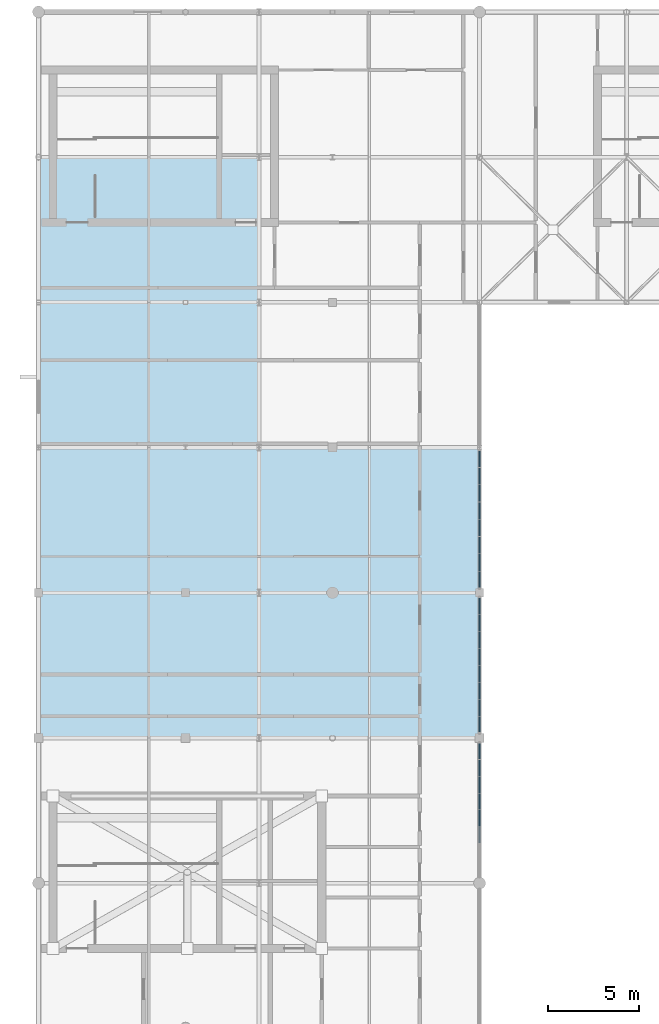
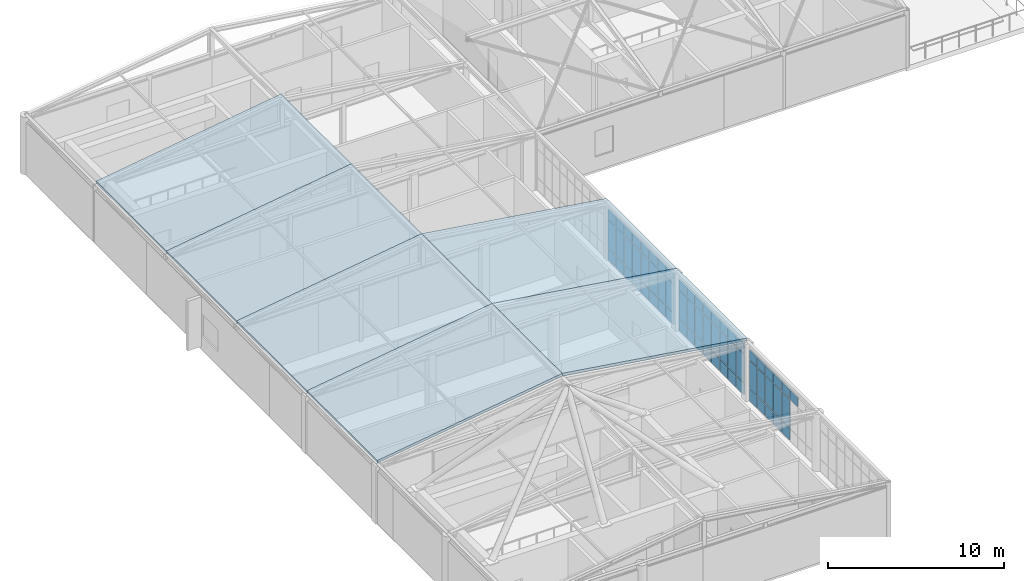
# One storey, part 12 of 21: 64 plates, 6 slabs, 3 elements without a shape of their own.
"""IFC4 building model written with IfcOpenShell, lengths in metres."""

from ifc_helpers import new_model, si_unit, direction, frame, origin, origin_2d, place, context, subcontext, project, spatial, polyline, rectangle, outline, extrude, material, layer, layer_set, type_object, element, aggregate, save


model = new_model("IFC4")

# Units and contexts
model_context = context("Model", 3, precision=1e-05, world=origin(), true_north=direction((0.0, 1.0)))
body_context = subcontext(model_context, "Body", "Model", "MODEL_VIEW")
ifc_project = project(units=[si_unit("LENGTHUNIT", "METRE"), si_unit("AREAUNIT", "SQUARE_METRE"), si_unit("VOLUMEUNIT", "CUBIC_METRE"), si_unit("PLANEANGLEUNIT", "RADIAN"), si_unit("MASSUNIT", "GRAM", prefix="KILO")], contexts=[model_context])

# Site, building, storey
site_placement = place(None, origin())
site = spatial("IfcSite", under=ifc_project, at=site_placement, CompositionType="ELEMENT")
building_placement = place(site_placement, origin())
building = spatial("IfcBuilding", under=site, at=building_placement, Name="Tarnveldt Square Police Headquarters", CompositionType="ELEMENT")
storey_placement = place(building_placement, frame((0.0, 0.0, 33.300048828125)))
storey = spatial("IfcBuildingStorey", under=building, at=storey_placement, Name="L07", CompositionType="ELEMENT", Elevation=33.300048828125)

# Curtain wall, plates
ifc_material_1 = material(Name="Triple-glazed low-e laminated vision glass", Category="glass")
curtain_wall_type_1 = type_object("IfcCurtainWallType", Name="CW-UP-739x366", PredefinedType="USERDEFINED", material=ifc_material_1)
curtain_wall_1_placement = place(storey_placement, origin())
curtain_wall_1 = element("IfcCurtainWall", 1, at=curtain_wall_1_placement, inside=storey, type_object=curtain_wall_type_1, Name="L07 Curtain Wall CW-L07-095", ObjectType="GLAZED CURTAIN WALL", PredefinedType="USERDEFINED")
ifc_material_2 = material(Name="Insulated anodised aluminium spandrel panel", Category="aluminium")
ifc_layer_1 = layer(ifc_material_2, 0.090087890625)
ifc_layer_set_1 = layer_set([ifc_layer_1], Name="Insulated anodised aluminium spandrel panel")
plate_type = type_object("IfcPlateType", Name="CWP-SPN-90", PredefinedType="CURTAIN_PANEL", material=ifc_layer_set_1)
plate_1_placement = place(storey_placement, frame((40.5, 66.65087890625, 2.9375), z_axis=(0.0, 0.0, 1.0), x_axis=(0.0, 1.0, 0.0)))
plate_1 = element("IfcPlate", 2, at=plate_1_placement, type_object=plate_type, Name="CW-UP52 panel 3.3", PredefinedType="CURTAIN_PANEL", context=body_context, shape_type="SweptSolid", body=[
    extrude(rectangle(XDim=0.859375, YDim=0.090087890625, at=origin_2d()), origin(), (0.0, 0.0, 1.0), 0.652587890625),
])
plate_2_placement = place(storey_placement, frame((40.5, 67.5751953125, 0.06494140625), z_axis=(0.0, 0.0, 1.0), x_axis=(0.0, 1.0, 0.0)))
plate_2 = element("IfcPlate", 3, at=plate_2_placement, type_object=plate_type, Name="CW-UP52 panel 4.1", PredefinedType="CURTAIN_PANEL", context=body_context, shape_type="SweptSolid", body=[
    extrude(rectangle(XDim=0.859375, YDim=0.090087890625, at=origin_2d()), origin(), (0.0, 0.0, 1.0), 0.802490234375),
])
plate_3_placement = place(storey_placement, frame((40.5, 67.5751953125, 0.932373046875), z_axis=(0.0, 0.0, 1.0), x_axis=(0.0, 1.0, 0.0)))
plate_3 = element("IfcPlate", 4, at=plate_3_placement, type_object=plate_type, Name="CW-UP52 panel 4.2", PredefinedType="CURTAIN_PANEL", context=body_context, shape_type="SweptSolid", body=[
    extrude(rectangle(XDim=0.859375, YDim=0.090087890625, at=origin_2d()), origin(), (0.0, 0.0, 1.0), 1.93994140625),
])
plate_4_placement = place(storey_placement, frame((40.5, 67.5751953125, 2.9375), z_axis=(0.0, 0.0, 1.0), x_axis=(0.0, 1.0, 0.0)))
plate_4 = element("IfcPlate", 5, at=plate_4_placement, type_object=plate_type, Name="CW-UP52 panel 4.3", PredefinedType="CURTAIN_PANEL", context=body_context, shape_type="SweptSolid", body=[
    extrude(rectangle(XDim=0.859375, YDim=0.090087890625, at=origin_2d()), origin(), (0.0, 0.0, 1.0), 0.652587890625),
])
plate_5_placement = place(storey_placement, frame((40.5, 68.499755859375, 0.06494140625), z_axis=(0.0, 0.0, 1.0), x_axis=(0.0, 1.0, 0.0)))
plate_5 = element("IfcPlate", 6, at=plate_5_placement, type_object=plate_type, Name="CW-UP52 panel 5.1", PredefinedType="CURTAIN_PANEL", context=body_context, shape_type="SweptSolid", body=[
    extrude(rectangle(XDim=0.859375, YDim=0.090087890625, at=origin_2d()), origin(), (0.0, 0.0, 1.0), 0.802490234375),
])
plate_6_placement = place(storey_placement, frame((40.5, 68.499755859375, 0.932373046875), z_axis=(0.0, 0.0, 1.0), x_axis=(0.0, 1.0, 0.0)))
plate_6 = element("IfcPlate", 7, at=plate_6_placement, type_object=plate_type, Name="CW-UP52 panel 5.2", PredefinedType="CURTAIN_PANEL", context=body_context, shape_type="SweptSolid", body=[
    extrude(rectangle(XDim=0.859375, YDim=0.090087890625, at=origin_2d()), origin(), (0.0, 0.0, 1.0), 1.93994140625),
])
plate_7_placement = place(storey_placement, frame((40.5, 68.499755859375, 2.9375), z_axis=(0.0, 0.0, 1.0), x_axis=(0.0, 1.0, 0.0)))
plate_7 = element("IfcPlate", 8, at=plate_7_placement, type_object=plate_type, Name="CW-UP52 panel 5.3", PredefinedType="CURTAIN_PANEL", context=body_context, shape_type="SweptSolid", body=[
    extrude(rectangle(XDim=0.859375, YDim=0.090087890625, at=origin_2d()), origin(), (0.0, 0.0, 1.0), 0.652587890625),
])
plate_8_placement = place(storey_placement, frame((40.5, 69.424072265625, 0.06494140625), z_axis=(0.0, 0.0, 1.0), x_axis=(0.0, 1.0, 0.0)))
plate_8 = element("IfcPlate", 9, at=plate_8_placement, type_object=plate_type, Name="CW-UP52 panel 6.1", PredefinedType="CURTAIN_PANEL", context=body_context, shape_type="SweptSolid", body=[
    extrude(rectangle(XDim=0.859375, YDim=0.090087890625, at=origin_2d()), origin(), (0.0, 0.0, 1.0), 0.802490234375),
])
plate_9_placement = place(storey_placement, frame((40.5, 69.424072265625, 0.932373046875), z_axis=(0.0, 0.0, 1.0), x_axis=(0.0, 1.0, 0.0)))
plate_9 = element("IfcPlate", 10, at=plate_9_placement, type_object=plate_type, Name="CW-UP52 panel 6.2", PredefinedType="CURTAIN_PANEL", context=body_context, shape_type="SweptSolid", body=[
    extrude(rectangle(XDim=0.859375, YDim=0.090087890625, at=origin_2d()), origin(), (0.0, 0.0, 1.0), 1.93994140625),
])
plate_10_placement = place(storey_placement, frame((40.5, 69.424072265625, 2.9375), z_axis=(0.0, 0.0, 1.0), x_axis=(0.0, 1.0, 0.0)))
plate_10 = element("IfcPlate", 11, at=plate_10_placement, type_object=plate_type, Name="CW-UP52 panel 6.3", PredefinedType="CURTAIN_PANEL", context=body_context, shape_type="SweptSolid", body=[
    extrude(rectangle(XDim=0.859375, YDim=0.090087890625, at=origin_2d()), origin(), (0.0, 0.0, 1.0), 0.652587890625),
])
plate_11_placement = place(storey_placement, frame((40.5, 70.348388671875, 0.06494140625), z_axis=(0.0, 0.0, 1.0), x_axis=(0.0, 1.0, 0.0)))
plate_11 = element("IfcPlate", 12, at=plate_11_placement, type_object=plate_type, Name="CW-UP52 panel 7.1", PredefinedType="CURTAIN_PANEL", context=body_context, shape_type="SweptSolid", body=[
    extrude(rectangle(XDim=0.859375, YDim=0.090087890625, at=origin_2d()), origin(), (0.0, 0.0, 1.0), 0.802490234375),
])
plate_12_placement = place(storey_placement, frame((40.5, 70.348388671875, 0.932373046875), z_axis=(0.0, 0.0, 1.0), x_axis=(0.0, 1.0, 0.0)))
plate_12 = element("IfcPlate", 13, at=plate_12_placement, type_object=plate_type, Name="CW-UP52 panel 7.2", PredefinedType="CURTAIN_PANEL", context=body_context, shape_type="SweptSolid", body=[
    extrude(rectangle(XDim=0.859375, YDim=0.090087890625, at=origin_2d()), origin(), (0.0, 0.0, 1.0), 1.93994140625),
])
plate_13_placement = place(storey_placement, frame((40.5, 70.348388671875, 2.9375), z_axis=(0.0, 0.0, 1.0), x_axis=(0.0, 1.0, 0.0)))
plate_13 = element("IfcPlate", 14, at=plate_13_placement, type_object=plate_type, Name="CW-UP52 panel 7.3", PredefinedType="CURTAIN_PANEL", context=body_context, shape_type="SweptSolid", body=[
    extrude(rectangle(XDim=0.859375, YDim=0.090087890625, at=origin_2d()), origin(), (0.0, 0.0, 1.0), 0.652587890625),
])
plate_14_placement = place(storey_placement, frame((40.5, 71.256591796875, 0.06494140625), z_axis=(0.0, 0.0, 1.0), x_axis=(0.0, 1.0, 0.0)))
plate_14 = element("IfcPlate", 15, at=plate_14_placement, type_object=plate_type, Name="CW-UP52 panel 8.1", PredefinedType="CURTAIN_PANEL", context=body_context, shape_type="SweptSolid", body=[
    extrude(rectangle(XDim=0.826904296875, YDim=0.090087890625, at=origin_2d()), origin(), (0.0, 0.0, 1.0), 0.802490234375),
])
plate_15_placement = place(storey_placement, frame((40.5, 71.256591796875, 0.932373046875), z_axis=(0.0, 0.0, 1.0), x_axis=(0.0, 1.0, 0.0)))
plate_15 = element("IfcPlate", 16, at=plate_15_placement, type_object=plate_type, Name="CW-UP52 panel 8.2", PredefinedType="CURTAIN_PANEL", context=body_context, shape_type="SweptSolid", body=[
    extrude(rectangle(XDim=0.826904296875, YDim=0.090087890625, at=origin_2d()), origin(), (0.0, 0.0, 1.0), 1.93994140625),
])
plate_16_placement = place(storey_placement, frame((40.5, 71.256591796875, 2.9375), z_axis=(0.0, 0.0, 1.0), x_axis=(0.0, 1.0, 0.0)))
plate_16 = element("IfcPlate", 17, at=plate_16_placement, type_object=plate_type, Name="CW-UP52 panel 8.3", PredefinedType="CURTAIN_PANEL", context=body_context, shape_type="SweptSolid", body=[
    extrude(rectangle(XDim=0.826904296875, YDim=0.090087890625, at=origin_2d()), origin(), (0.0, 0.0, 1.0), 0.652587890625),
])
aggregate(curtain_wall_1, [plate_1, plate_2, plate_3, plate_4, plate_5, plate_6, plate_7, plate_8, plate_9, plate_10, plate_11, plate_12, plate_13, plate_14, plate_15, plate_16])

curtain_wall_type_2 = type_object("IfcCurtainWallType", Name="CW-UP-750x366", PredefinedType="USERDEFINED", material=ifc_material_1)
curtain_wall_2_placement = place(storey_placement, origin())
curtain_wall_2 = element("IfcCurtainWall", 18, at=curtain_wall_2_placement, inside=storey, type_object=curtain_wall_type_2, Name="L07 Curtain Wall CW-L07-096", ObjectType="GLAZED CURTAIN WALL", PredefinedType="USERDEFINED")
plate_17_placement = place(storey_placement, frame((40.5, 72.749755859375, 0.06494140625), z_axis=(0.0, 0.0, 1.0), x_axis=(0.0, 1.0, 0.0)))
plate_17 = element("IfcPlate", 19, at=plate_17_placement, type_object=plate_type, Name="CW-UP53 panel 1.1", PredefinedType="CURTAIN_PANEL", context=body_context, shape_type="SweptSolid", body=[
    extrude(rectangle(XDim=0.83935546875, YDim=0.090087890625, at=origin_2d()), origin(), (0.0, 0.0, 1.0), 0.802490234375),
])
plate_18_placement = place(storey_placement, frame((40.5, 72.749755859375, 0.932373046875), z_axis=(0.0, 0.0, 1.0), x_axis=(0.0, 1.0, 0.0)))
plate_18 = element("IfcPlate", 20, at=plate_18_placement, type_object=plate_type, Name="CW-UP53 panel 1.2", PredefinedType="CURTAIN_PANEL", context=body_context, shape_type="SweptSolid", body=[
    extrude(rectangle(XDim=0.83935546875, YDim=0.090087890625, at=origin_2d()), origin(), (0.0, 0.0, 1.0), 1.93994140625),
])
plate_19_placement = place(storey_placement, frame((40.5, 72.749755859375, 2.9375), z_axis=(0.0, 0.0, 1.0), x_axis=(0.0, 1.0, 0.0)))
plate_19 = element("IfcPlate", 21, at=plate_19_placement, type_object=plate_type, Name="CW-UP53 panel 1.3", PredefinedType="CURTAIN_PANEL", context=body_context, shape_type="SweptSolid", body=[
    extrude(rectangle(XDim=0.83935546875, YDim=0.090087890625, at=origin_2d()), origin(), (0.0, 0.0, 1.0), 0.652587890625),
])
plate_20_placement = place(storey_placement, frame((40.5, 73.67041015625, 0.06494140625), z_axis=(0.0, 0.0, 1.0), x_axis=(0.0, 1.0, 0.0)))
plate_20 = element("IfcPlate", 22, at=plate_20_placement, type_object=plate_type, Name="CW-UP53 panel 2.1", PredefinedType="CURTAIN_PANEL", context=body_context, shape_type="SweptSolid", body=[
    extrude(rectangle(XDim=0.871826171875, YDim=0.090087890625, at=origin_2d()), origin(), (0.0, 0.0, 1.0), 0.802490234375),
])
plate_21_placement = place(storey_placement, frame((40.5, 73.67041015625, 0.932373046875), z_axis=(0.0, 0.0, 1.0), x_axis=(0.0, 1.0, 0.0)))
plate_21 = element("IfcPlate", 23, at=plate_21_placement, type_object=plate_type, Name="CW-UP53 panel 2.2", PredefinedType="CURTAIN_PANEL", context=body_context, shape_type="SweptSolid", body=[
    extrude(rectangle(XDim=0.871826171875, YDim=0.090087890625, at=origin_2d()), origin(), (0.0, 0.0, 1.0), 1.93994140625),
])
plate_22_placement = place(storey_placement, frame((40.5, 73.67041015625, 2.9375), z_axis=(0.0, 0.0, 1.0), x_axis=(0.0, 1.0, 0.0)))
plate_22 = element("IfcPlate", 24, at=plate_22_placement, type_object=plate_type, Name="CW-UP53 panel 2.3", PredefinedType="CURTAIN_PANEL", context=body_context, shape_type="SweptSolid", body=[
    extrude(rectangle(XDim=0.871826171875, YDim=0.090087890625, at=origin_2d()), origin(), (0.0, 0.0, 1.0), 0.652587890625),
])
plate_23_placement = place(storey_placement, frame((40.5, 74.607177734375, 0.06494140625), z_axis=(0.0, 0.0, 1.0), x_axis=(0.0, 1.0, 0.0)))
plate_23 = element("IfcPlate", 25, at=plate_23_placement, type_object=plate_type, Name="CW-UP53 panel 3.1", PredefinedType="CURTAIN_PANEL", context=body_context, shape_type="SweptSolid", body=[
    extrude(rectangle(XDim=0.871826171875, YDim=0.090087890625, at=origin_2d()), origin(), (0.0, 0.0, 1.0), 0.802490234375),
])
plate_24_placement = place(storey_placement, frame((40.5, 74.607177734375, 0.932373046875), z_axis=(0.0, 0.0, 1.0), x_axis=(0.0, 1.0, 0.0)))
plate_24 = element("IfcPlate", 26, at=plate_24_placement, type_object=plate_type, Name="CW-UP53 panel 3.2", PredefinedType="CURTAIN_PANEL", context=body_context, shape_type="SweptSolid", body=[
    extrude(rectangle(XDim=0.871826171875, YDim=0.090087890625, at=origin_2d()), origin(), (0.0, 0.0, 1.0), 1.93994140625),
])
plate_25_placement = place(storey_placement, frame((40.5, 74.607177734375, 2.9375), z_axis=(0.0, 0.0, 1.0), x_axis=(0.0, 1.0, 0.0)))
plate_25 = element("IfcPlate", 27, at=plate_25_placement, type_object=plate_type, Name="CW-UP53 panel 3.3", PredefinedType="CURTAIN_PANEL", context=body_context, shape_type="SweptSolid", body=[
    extrude(rectangle(XDim=0.871826171875, YDim=0.090087890625, at=origin_2d()), origin(), (0.0, 0.0, 1.0), 0.652587890625),
])
plate_26_placement = place(storey_placement, frame((40.5, 75.5439453125, 0.06494140625), z_axis=(0.0, 0.0, 1.0), x_axis=(0.0, 1.0, 0.0)))
plate_26 = element("IfcPlate", 28, at=plate_26_placement, type_object=plate_type, Name="CW-UP53 panel 4.1", PredefinedType="CURTAIN_PANEL", context=body_context, shape_type="SweptSolid", body=[
    extrude(rectangle(XDim=0.871826171875, YDim=0.090087890625, at=origin_2d()), origin(), (0.0, 0.0, 1.0), 0.802490234375),
])
plate_27_placement = place(storey_placement, frame((40.5, 75.5439453125, 0.932373046875), z_axis=(0.0, 0.0, 1.0), x_axis=(0.0, 1.0, 0.0)))
plate_27 = element("IfcPlate", 29, at=plate_27_placement, type_object=plate_type, Name="CW-UP53 panel 4.2", PredefinedType="CURTAIN_PANEL", context=body_context, shape_type="SweptSolid", body=[
    extrude(rectangle(XDim=0.871826171875, YDim=0.090087890625, at=origin_2d()), origin(), (0.0, 0.0, 1.0), 1.93994140625),
])
plate_28_placement = place(storey_placement, frame((40.5, 75.5439453125, 2.9375), z_axis=(0.0, 0.0, 1.0), x_axis=(0.0, 1.0, 0.0)))
plate_28 = element("IfcPlate", 30, at=plate_28_placement, type_object=plate_type, Name="CW-UP53 panel 4.3", PredefinedType="CURTAIN_PANEL", context=body_context, shape_type="SweptSolid", body=[
    extrude(rectangle(XDim=0.871826171875, YDim=0.090087890625, at=origin_2d()), origin(), (0.0, 0.0, 1.0), 0.652587890625),
])
plate_29_placement = place(storey_placement, frame((40.5, 76.48095703125, 0.06494140625), z_axis=(0.0, 0.0, 1.0), x_axis=(0.0, 1.0, 0.0)))
plate_29 = element("IfcPlate", 31, at=plate_29_placement, type_object=plate_type, Name="CW-UP53 panel 5.1", PredefinedType="CURTAIN_PANEL", context=body_context, shape_type="SweptSolid", body=[
    extrude(rectangle(XDim=0.871826171875, YDim=0.090087890625, at=origin_2d()), origin(), (0.0, 0.0, 1.0), 0.802490234375),
])
plate_30_placement = place(storey_placement, frame((40.5, 76.48095703125, 0.932373046875), z_axis=(0.0, 0.0, 1.0), x_axis=(0.0, 1.0, 0.0)))
plate_30 = element("IfcPlate", 32, at=plate_30_placement, type_object=plate_type, Name="CW-UP53 panel 5.2", PredefinedType="CURTAIN_PANEL", context=body_context, shape_type="SweptSolid", body=[
    extrude(rectangle(XDim=0.871826171875, YDim=0.090087890625, at=origin_2d()), origin(), (0.0, 0.0, 1.0), 1.93994140625),
])
plate_31_placement = place(storey_placement, frame((40.5, 76.48095703125, 2.9375), z_axis=(0.0, 0.0, 1.0), x_axis=(0.0, 1.0, 0.0)))
plate_31 = element("IfcPlate", 33, at=plate_31_placement, type_object=plate_type, Name="CW-UP53 panel 5.3", PredefinedType="CURTAIN_PANEL", context=body_context, shape_type="SweptSolid", body=[
    extrude(rectangle(XDim=0.871826171875, YDim=0.090087890625, at=origin_2d()), origin(), (0.0, 0.0, 1.0), 0.652587890625),
])
plate_32_placement = place(storey_placement, frame((40.5, 77.417724609375, 0.06494140625), z_axis=(0.0, 0.0, 1.0), x_axis=(0.0, 1.0, 0.0)))
plate_32 = element("IfcPlate", 34, at=plate_32_placement, type_object=plate_type, Name="CW-UP53 panel 6.1", PredefinedType="CURTAIN_PANEL", context=body_context, shape_type="SweptSolid", body=[
    extrude(rectangle(XDim=0.871826171875, YDim=0.090087890625, at=origin_2d()), origin(), (0.0, 0.0, 1.0), 0.802490234375),
])
plate_33_placement = place(storey_placement, frame((40.5, 77.417724609375, 0.932373046875), z_axis=(0.0, 0.0, 1.0), x_axis=(0.0, 1.0, 0.0)))
plate_33 = element("IfcPlate", 35, at=plate_33_placement, type_object=plate_type, Name="CW-UP53 panel 6.2", PredefinedType="CURTAIN_PANEL", context=body_context, shape_type="SweptSolid", body=[
    extrude(rectangle(XDim=0.871826171875, YDim=0.090087890625, at=origin_2d()), origin(), (0.0, 0.0, 1.0), 1.93994140625),
])
plate_34_placement = place(storey_placement, frame((40.5, 77.417724609375, 2.9375), z_axis=(0.0, 0.0, 1.0), x_axis=(0.0, 1.0, 0.0)))
plate_34 = element("IfcPlate", 36, at=plate_34_placement, type_object=plate_type, Name="CW-UP53 panel 6.3", PredefinedType="CURTAIN_PANEL", context=body_context, shape_type="SweptSolid", body=[
    extrude(rectangle(XDim=0.871826171875, YDim=0.090087890625, at=origin_2d()), origin(), (0.0, 0.0, 1.0), 0.652587890625),
])
plate_35_placement = place(storey_placement, frame((40.5, 78.354736328125, 0.06494140625), z_axis=(0.0, 0.0, 1.0), x_axis=(0.0, 1.0, 0.0)))
plate_35 = element("IfcPlate", 37, at=plate_35_placement, type_object=plate_type, Name="CW-UP53 panel 7.1", PredefinedType="CURTAIN_PANEL", context=body_context, shape_type="SweptSolid", body=[
    extrude(rectangle(XDim=0.871826171875, YDim=0.090087890625, at=origin_2d()), origin(), (0.0, 0.0, 1.0), 0.802490234375),
])
plate_36_placement = place(storey_placement, frame((40.5, 78.354736328125, 0.932373046875), z_axis=(0.0, 0.0, 1.0), x_axis=(0.0, 1.0, 0.0)))
plate_36 = element("IfcPlate", 38, at=plate_36_placement, type_object=plate_type, Name="CW-UP53 panel 7.2", PredefinedType="CURTAIN_PANEL", context=body_context, shape_type="SweptSolid", body=[
    extrude(rectangle(XDim=0.871826171875, YDim=0.090087890625, at=origin_2d()), origin(), (0.0, 0.0, 1.0), 1.93994140625),
])
plate_37_placement = place(storey_placement, frame((40.5, 78.354736328125, 2.9375), z_axis=(0.0, 0.0, 1.0), x_axis=(0.0, 1.0, 0.0)))
plate_37 = element("IfcPlate", 39, at=plate_37_placement, type_object=plate_type, Name="CW-UP53 panel 7.3", PredefinedType="CURTAIN_PANEL", context=body_context, shape_type="SweptSolid", body=[
    extrude(rectangle(XDim=0.871826171875, YDim=0.090087890625, at=origin_2d()), origin(), (0.0, 0.0, 1.0), 0.652587890625),
])
plate_38_placement = place(storey_placement, frame((40.5, 79.275390625, 0.06494140625), z_axis=(0.0, 0.0, 1.0), x_axis=(0.0, 1.0, 0.0)))
plate_38 = element("IfcPlate", 40, at=plate_38_placement, type_object=plate_type, Name="CW-UP53 panel 8.1", PredefinedType="CURTAIN_PANEL", context=body_context, shape_type="SweptSolid", body=[
    extrude(rectangle(XDim=0.83935546875, YDim=0.090087890625, at=origin_2d()), origin(), (0.0, 0.0, 1.0), 0.802490234375),
])
plate_39_placement = place(storey_placement, frame((40.5, 79.275390625, 0.932373046875), z_axis=(0.0, 0.0, 1.0), x_axis=(0.0, 1.0, 0.0)))
plate_39 = element("IfcPlate", 41, at=plate_39_placement, type_object=plate_type, Name="CW-UP53 panel 8.2", PredefinedType="CURTAIN_PANEL", context=body_context, shape_type="SweptSolid", body=[
    extrude(rectangle(XDim=0.83935546875, YDim=0.090087890625, at=origin_2d()), origin(), (0.0, 0.0, 1.0), 1.93994140625),
])
plate_40_placement = place(storey_placement, frame((40.5, 79.275390625, 2.9375), z_axis=(0.0, 0.0, 1.0), x_axis=(0.0, 1.0, 0.0)))
plate_40 = element("IfcPlate", 42, at=plate_40_placement, type_object=plate_type, Name="CW-UP53 panel 8.3", PredefinedType="CURTAIN_PANEL", context=body_context, shape_type="SweptSolid", body=[
    extrude(rectangle(XDim=0.83935546875, YDim=0.090087890625, at=origin_2d()), origin(), (0.0, 0.0, 1.0), 0.652587890625),
])
aggregate(curtain_wall_2, [plate_17, plate_18, plate_19, plate_20, plate_21, plate_22, plate_23, plate_24, plate_25, plate_26, plate_27, plate_28, plate_29, plate_30, plate_31, plate_32, plate_33, plate_34, plate_35, plate_36, plate_37, plate_38, plate_39, plate_40])

curtain_wall_type_3 = type_object("IfcCurtainWallType", Name="CW-UP-762x366", PredefinedType="USERDEFINED", material=ifc_material_1)
curtain_wall_3_placement = place(storey_placement, origin())
curtain_wall_3 = element("IfcCurtainWall", 43, at=curtain_wall_3_placement, inside=storey, type_object=curtain_wall_type_3, Name="L07 Curtain Wall CW-L07-097", ObjectType="GLAZED CURTAIN WALL", PredefinedType="USERDEFINED")
plate_41_placement = place(storey_placement, frame((40.5, 80.732177734375, 0.06494140625), z_axis=(0.0, 0.0, 1.0), x_axis=(0.0, 1.0, 0.0)))
plate_41 = element("IfcPlate", 44, at=plate_41_placement, type_object=plate_type, Name="CW-UP54 panel 1.1", PredefinedType="CURTAIN_PANEL", context=body_context, shape_type="SweptSolid", body=[
    extrude(rectangle(XDim=0.8544921875, YDim=0.090087890625, at=origin_2d()), origin(), (0.0, 0.0, 1.0), 0.802490234375),
])
plate_42_placement = place(storey_placement, frame((40.5, 80.732177734375, 0.932373046875), z_axis=(0.0, 0.0, 1.0), x_axis=(0.0, 1.0, 0.0)))
plate_42 = element("IfcPlate", 45, at=plate_42_placement, type_object=plate_type, Name="CW-UP54 panel 1.2", PredefinedType="CURTAIN_PANEL", context=body_context, shape_type="SweptSolid", body=[
    extrude(rectangle(XDim=0.8544921875, YDim=0.090087890625, at=origin_2d()), origin(), (0.0, 0.0, 1.0), 1.93994140625),
])
plate_43_placement = place(storey_placement, frame((40.5, 80.732177734375, 2.9375), z_axis=(0.0, 0.0, 1.0), x_axis=(0.0, 1.0, 0.0)))
plate_43 = element("IfcPlate", 46, at=plate_43_placement, type_object=plate_type, Name="CW-UP54 panel 1.3", PredefinedType="CURTAIN_PANEL", context=body_context, shape_type="SweptSolid", body=[
    extrude(rectangle(XDim=0.8544921875, YDim=0.090087890625, at=origin_2d()), origin(), (0.0, 0.0, 1.0), 0.652587890625),
])
plate_44_placement = place(storey_placement, frame((40.5, 81.667724609375, 0.06494140625), z_axis=(0.0, 0.0, 1.0), x_axis=(0.0, 1.0, 0.0)))
plate_44 = element("IfcPlate", 47, at=plate_44_placement, type_object=plate_type, Name="CW-UP54 panel 2.1", PredefinedType="CURTAIN_PANEL", context=body_context, shape_type="SweptSolid", body=[
    extrude(rectangle(XDim=0.886962890625, YDim=0.090087890625, at=origin_2d()), origin(), (0.0, 0.0, 1.0), 0.802490234375),
])
plate_45_placement = place(storey_placement, frame((40.5, 81.667724609375, 0.932373046875), z_axis=(0.0, 0.0, 1.0), x_axis=(0.0, 1.0, 0.0)))
plate_45 = element("IfcPlate", 48, at=plate_45_placement, type_object=plate_type, Name="CW-UP54 panel 2.2", PredefinedType="CURTAIN_PANEL", context=body_context, shape_type="SweptSolid", body=[
    extrude(rectangle(XDim=0.886962890625, YDim=0.090087890625, at=origin_2d()), origin(), (0.0, 0.0, 1.0), 1.93994140625),
])
plate_46_placement = place(storey_placement, frame((40.5, 81.667724609375, 2.9375), z_axis=(0.0, 0.0, 1.0), x_axis=(0.0, 1.0, 0.0)))
plate_46 = element("IfcPlate", 49, at=plate_46_placement, type_object=plate_type, Name="CW-UP54 panel 2.3", PredefinedType="CURTAIN_PANEL", context=body_context, shape_type="SweptSolid", body=[
    extrude(rectangle(XDim=0.886962890625, YDim=0.090087890625, at=origin_2d()), origin(), (0.0, 0.0, 1.0), 0.652587890625),
])
plate_47_placement = place(storey_placement, frame((40.5, 82.61962890625, 0.06494140625), z_axis=(0.0, 0.0, 1.0), x_axis=(0.0, 1.0, 0.0)))
plate_47 = element("IfcPlate", 50, at=plate_47_placement, type_object=plate_type, Name="CW-UP54 panel 3.1", PredefinedType="CURTAIN_PANEL", context=body_context, shape_type="SweptSolid", body=[
    extrude(rectangle(XDim=0.886962890625, YDim=0.090087890625, at=origin_2d()), origin(), (0.0, 0.0, 1.0), 0.802490234375),
])
plate_48_placement = place(storey_placement, frame((40.5, 82.61962890625, 0.932373046875), z_axis=(0.0, 0.0, 1.0), x_axis=(0.0, 1.0, 0.0)))
plate_48 = element("IfcPlate", 51, at=plate_48_placement, type_object=plate_type, Name="CW-UP54 panel 3.2", PredefinedType="CURTAIN_PANEL", context=body_context, shape_type="SweptSolid", body=[
    extrude(rectangle(XDim=0.886962890625, YDim=0.090087890625, at=origin_2d()), origin(), (0.0, 0.0, 1.0), 1.93994140625),
])
plate_49_placement = place(storey_placement, frame((40.5, 82.61962890625, 2.9375), z_axis=(0.0, 0.0, 1.0), x_axis=(0.0, 1.0, 0.0)))
plate_49 = element("IfcPlate", 52, at=plate_49_placement, type_object=plate_type, Name="CW-UP54 panel 3.3", PredefinedType="CURTAIN_PANEL", context=body_context, shape_type="SweptSolid", body=[
    extrude(rectangle(XDim=0.886962890625, YDim=0.090087890625, at=origin_2d()), origin(), (0.0, 0.0, 1.0), 0.652587890625),
])
plate_50_placement = place(storey_placement, frame((40.5, 83.571533203125, 0.06494140625), z_axis=(0.0, 0.0, 1.0), x_axis=(0.0, 1.0, 0.0)))
plate_50 = element("IfcPlate", 53, at=plate_50_placement, type_object=plate_type, Name="CW-UP54 panel 4.1", PredefinedType="CURTAIN_PANEL", context=body_context, shape_type="SweptSolid", body=[
    extrude(rectangle(XDim=0.886962890625, YDim=0.090087890625, at=origin_2d()), origin(), (0.0, 0.0, 1.0), 0.802490234375),
])
plate_51_placement = place(storey_placement, frame((40.5, 83.571533203125, 0.932373046875), z_axis=(0.0, 0.0, 1.0), x_axis=(0.0, 1.0, 0.0)))
plate_51 = element("IfcPlate", 54, at=plate_51_placement, type_object=plate_type, Name="CW-UP54 panel 4.2", PredefinedType="CURTAIN_PANEL", context=body_context, shape_type="SweptSolid", body=[
    extrude(rectangle(XDim=0.886962890625, YDim=0.090087890625, at=origin_2d()), origin(), (0.0, 0.0, 1.0), 1.93994140625),
])
plate_52_placement = place(storey_placement, frame((40.5, 83.571533203125, 2.9375), z_axis=(0.0, 0.0, 1.0), x_axis=(0.0, 1.0, 0.0)))
plate_52 = element("IfcPlate", 55, at=plate_52_placement, type_object=plate_type, Name="CW-UP54 panel 4.3", PredefinedType="CURTAIN_PANEL", context=body_context, shape_type="SweptSolid", body=[
    extrude(rectangle(XDim=0.886962890625, YDim=0.090087890625, at=origin_2d()), origin(), (0.0, 0.0, 1.0), 0.652587890625),
])
plate_53_placement = place(storey_placement, frame((40.5, 84.5234375, 0.06494140625), z_axis=(0.0, 0.0, 1.0), x_axis=(0.0, 1.0, 0.0)))
plate_53 = element("IfcPlate", 56, at=plate_53_placement, type_object=plate_type, Name="CW-UP54 panel 5.1", PredefinedType="CURTAIN_PANEL", context=body_context, shape_type="SweptSolid", body=[
    extrude(rectangle(XDim=0.886962890625, YDim=0.090087890625, at=origin_2d()), origin(), (0.0, 0.0, 1.0), 0.802490234375),
])
plate_54_placement = place(storey_placement, frame((40.5, 84.5234375, 0.932373046875), z_axis=(0.0, 0.0, 1.0), x_axis=(0.0, 1.0, 0.0)))
plate_54 = element("IfcPlate", 57, at=plate_54_placement, type_object=plate_type, Name="CW-UP54 panel 5.2", PredefinedType="CURTAIN_PANEL", context=body_context, shape_type="SweptSolid", body=[
    extrude(rectangle(XDim=0.886962890625, YDim=0.090087890625, at=origin_2d()), origin(), (0.0, 0.0, 1.0), 1.93994140625),
])
plate_55_placement = place(storey_placement, frame((40.5, 84.5234375, 2.9375), z_axis=(0.0, 0.0, 1.0), x_axis=(0.0, 1.0, 0.0)))
plate_55 = element("IfcPlate", 58, at=plate_55_placement, type_object=plate_type, Name="CW-UP54 panel 5.3", PredefinedType="CURTAIN_PANEL", context=body_context, shape_type="SweptSolid", body=[
    extrude(rectangle(XDim=0.886962890625, YDim=0.090087890625, at=origin_2d()), origin(), (0.0, 0.0, 1.0), 0.652587890625),
])
plate_56_placement = place(storey_placement, frame((40.5, 85.475341796875, 0.06494140625), z_axis=(0.0, 0.0, 1.0), x_axis=(0.0, 1.0, 0.0)))
plate_56 = element("IfcPlate", 59, at=plate_56_placement, type_object=plate_type, Name="CW-UP54 panel 6.1", PredefinedType="CURTAIN_PANEL", context=body_context, shape_type="SweptSolid", body=[
    extrude(rectangle(XDim=0.886962890625, YDim=0.090087890625, at=origin_2d()), origin(), (0.0, 0.0, 1.0), 0.802490234375),
])
plate_57_placement = place(storey_placement, frame((40.5, 85.475341796875, 0.932373046875), z_axis=(0.0, 0.0, 1.0), x_axis=(0.0, 1.0, 0.0)))
plate_57 = element("IfcPlate", 60, at=plate_57_placement, type_object=plate_type, Name="CW-UP54 panel 6.2", PredefinedType="CURTAIN_PANEL", context=body_context, shape_type="SweptSolid", body=[
    extrude(rectangle(XDim=0.886962890625, YDim=0.090087890625, at=origin_2d()), origin(), (0.0, 0.0, 1.0), 1.93994140625),
])
plate_58_placement = place(storey_placement, frame((40.5, 85.475341796875, 2.9375), z_axis=(0.0, 0.0, 1.0), x_axis=(0.0, 1.0, 0.0)))
plate_58 = element("IfcPlate", 61, at=plate_58_placement, type_object=plate_type, Name="CW-UP54 panel 6.3", PredefinedType="CURTAIN_PANEL", context=body_context, shape_type="SweptSolid", body=[
    extrude(rectangle(XDim=0.886962890625, YDim=0.090087890625, at=origin_2d()), origin(), (0.0, 0.0, 1.0), 0.652587890625),
])
plate_59_placement = place(storey_placement, frame((40.5, 86.42724609375, 0.06494140625), z_axis=(0.0, 0.0, 1.0), x_axis=(0.0, 1.0, 0.0)))
plate_59 = element("IfcPlate", 62, at=plate_59_placement, type_object=plate_type, Name="CW-UP54 panel 7.1", PredefinedType="CURTAIN_PANEL", context=body_context, shape_type="SweptSolid", body=[
    extrude(rectangle(XDim=0.886962890625, YDim=0.090087890625, at=origin_2d()), origin(), (0.0, 0.0, 1.0), 0.802490234375),
])
plate_60_placement = place(storey_placement, frame((40.5, 86.42724609375, 0.932373046875), z_axis=(0.0, 0.0, 1.0), x_axis=(0.0, 1.0, 0.0)))
plate_60 = element("IfcPlate", 63, at=plate_60_placement, type_object=plate_type, Name="CW-UP54 panel 7.2", PredefinedType="CURTAIN_PANEL", context=body_context, shape_type="SweptSolid", body=[
    extrude(rectangle(XDim=0.886962890625, YDim=0.090087890625, at=origin_2d()), origin(), (0.0, 0.0, 1.0), 1.93994140625),
])
plate_61_placement = place(storey_placement, frame((40.5, 86.42724609375, 2.9375), z_axis=(0.0, 0.0, 1.0), x_axis=(0.0, 1.0, 0.0)))
plate_61 = element("IfcPlate", 64, at=plate_61_placement, type_object=plate_type, Name="CW-UP54 panel 7.3", PredefinedType="CURTAIN_PANEL", context=body_context, shape_type="SweptSolid", body=[
    extrude(rectangle(XDim=0.886962890625, YDim=0.090087890625, at=origin_2d()), origin(), (0.0, 0.0, 1.0), 0.652587890625),
])
plate_62_placement = place(storey_placement, frame((40.5, 87.36279296875, 0.06494140625), z_axis=(0.0, 0.0, 1.0), x_axis=(0.0, 1.0, 0.0)))
plate_62 = element("IfcPlate", 65, at=plate_62_placement, type_object=plate_type, Name="CW-UP54 panel 8.1", PredefinedType="CURTAIN_PANEL", context=body_context, shape_type="SweptSolid", body=[
    extrude(rectangle(XDim=0.8544921875, YDim=0.090087890625, at=origin_2d()), origin(), (0.0, 0.0, 1.0), 0.802490234375),
])
plate_63_placement = place(storey_placement, frame((40.5, 87.36279296875, 0.932373046875), z_axis=(0.0, 0.0, 1.0), x_axis=(0.0, 1.0, 0.0)))
plate_63 = element("IfcPlate", 66, at=plate_63_placement, type_object=plate_type, Name="CW-UP54 panel 8.2", PredefinedType="CURTAIN_PANEL", context=body_context, shape_type="SweptSolid", body=[
    extrude(rectangle(XDim=0.8544921875, YDim=0.090087890625, at=origin_2d()), origin(), (0.0, 0.0, 1.0), 1.93994140625),
])
plate_64_placement = place(storey_placement, frame((40.5, 87.36279296875, 2.9375), z_axis=(0.0, 0.0, 1.0), x_axis=(0.0, 1.0, 0.0)))
plate_64 = element("IfcPlate", 67, at=plate_64_placement, type_object=plate_type, Name="CW-UP54 panel 8.3", PredefinedType="CURTAIN_PANEL", context=body_context, shape_type="SweptSolid", body=[
    extrude(rectangle(XDim=0.8544921875, YDim=0.090087890625, at=origin_2d()), origin(), (0.0, 0.0, 1.0), 0.652587890625),
])
aggregate(curtain_wall_3, [plate_41, plate_42, plate_43, plate_44, plate_45, plate_46, plate_47, plate_48, plate_49, plate_50, plate_51, plate_52, plate_53, plate_54, plate_55, plate_56, plate_57, plate_58, plate_59, plate_60, plate_61, plate_62, plate_63, plate_64])

# Slabs
ifc_material_3 = material(Name="Precast concrete 35 MPa", Category="concrete")
ifc_layer_2 = layer(ifc_material_3, 0.18994140625)
ifc_layer_set_2 = layer_set([ifc_layer_2], Name="Precast concrete 35 MPa")
slab_type = type_object("IfcSlabType", Name="SL-PITCH-190", PredefinedType="ROOF", material=ifc_layer_set_2)
slab_1_placement = place(storey_placement, frame((16.199951171875, 72.0, 4.199951171875), z_axis=(-0.146550822179, 0.0, 0.98920314219), x_axis=(0.0, 1.0, 0.0)))
element("IfcSlab", 68, at=slab_1_placement, inside=storey, type_object=slab_type, Name="Operations Wing Snow-Shedding Roof West 3", PredefinedType="ROOF", context=body_context, shape_type="SweptSolid", body=[
    extrude(outline(polyline([(0.0, 0.0), (8.0, 0.0), (8.0, -12.282761716137147), (0.0, -12.282761716137147), (0.0, 0.0)])), origin(), (0.0, 0.0, -1.0), 0.18994140625),
])
slab_2_placement = place(storey_placement, frame((28.35009765625, 72.0, 6.0), z_axis=(0.146553703729, 0.0, 0.989202715283), x_axis=(0.0, 1.0, 0.0)))
element("IfcSlab", 69, at=slab_2_placement, inside=storey, type_object=slab_type, Name="Operations Wing Snow-Shedding Roof East 3", PredefinedType="ROOF", context=body_context, shape_type="SweptSolid", body=[
    extrude(outline(polyline([(0.0, 0.0), (8.0, 0.0), (8.0, -12.282520211515873), (0.0, -12.282520211515873), (0.0, 0.0)])), origin(), (0.0, 0.0, -1.0), 0.18994140625),
])
slab_3_placement = place(storey_placement, frame((16.199951171875, 80.0, 4.199951171875), z_axis=(-0.146550822179, 0.0, 0.98920314219), x_axis=(0.0, 1.0, 0.0)))
element("IfcSlab", 70, at=slab_3_placement, inside=storey, type_object=slab_type, Name="Operations Wing Snow-Shedding Roof West 4", PredefinedType="ROOF", context=body_context, shape_type="SweptSolid", body=[
    extrude(outline(polyline([(0.0, 0.0), (8.0, 0.0), (8.0, -12.282761716137147), (0.0, -12.282761716137147), (0.0, 0.0)])), origin(), (0.0, 0.0, -1.0), 0.18994140625),
])
slab_4_placement = place(storey_placement, frame((28.35009765625, 80.0, 6.0), z_axis=(0.146553703729, 0.0, 0.989202715283), x_axis=(0.0, 1.0, 0.0)))
element("IfcSlab", 71, at=slab_4_placement, inside=storey, type_object=slab_type, Name="Operations Wing Snow-Shedding Roof East 4", PredefinedType="ROOF", context=body_context, shape_type="SweptSolid", body=[
    extrude(outline(polyline([(0.0, 0.0), (8.0, 0.0), (8.0, -12.282520211515873), (0.0, -12.282520211515873), (0.0, 0.0)])), origin(), (0.0, 0.0, -1.0), 0.18994140625),
])
for number, where, z_axis, x_axis, name in (
    (72, (16.199951171875, 88.0, 4.199951171875), (-0.146550822179, 0.0, 0.98920314219), (0.0, 1.0, 0.0), "Operations Wing Snow-Shedding Roof West 5"),
    (73, (16.199951171875, 96.0, 4.199951171875), (-0.146550822179, 0.0, 0.98920314219), (0.0, 1.0, 0.0), "Operations Wing Snow-Shedding Roof West 6"),
):
    element("IfcSlab", number, at=place(storey_placement, frame(where, z_axis=z_axis, x_axis=x_axis)), inside=storey, type_object=slab_type, Name=name, PredefinedType="ROOF", context=body_context, shape_type="SweptSolid", body=[
        extrude(outline(polyline([(0.0, 0.0), (8.0, 0.0), (8.0, -12.282761716137147), (0.0, -12.282761716137147), (0.0, 0.0)])), origin(), (0.0, 0.0, -1.0), 0.18994140625),
    ])

save(model, "model.ifc")
